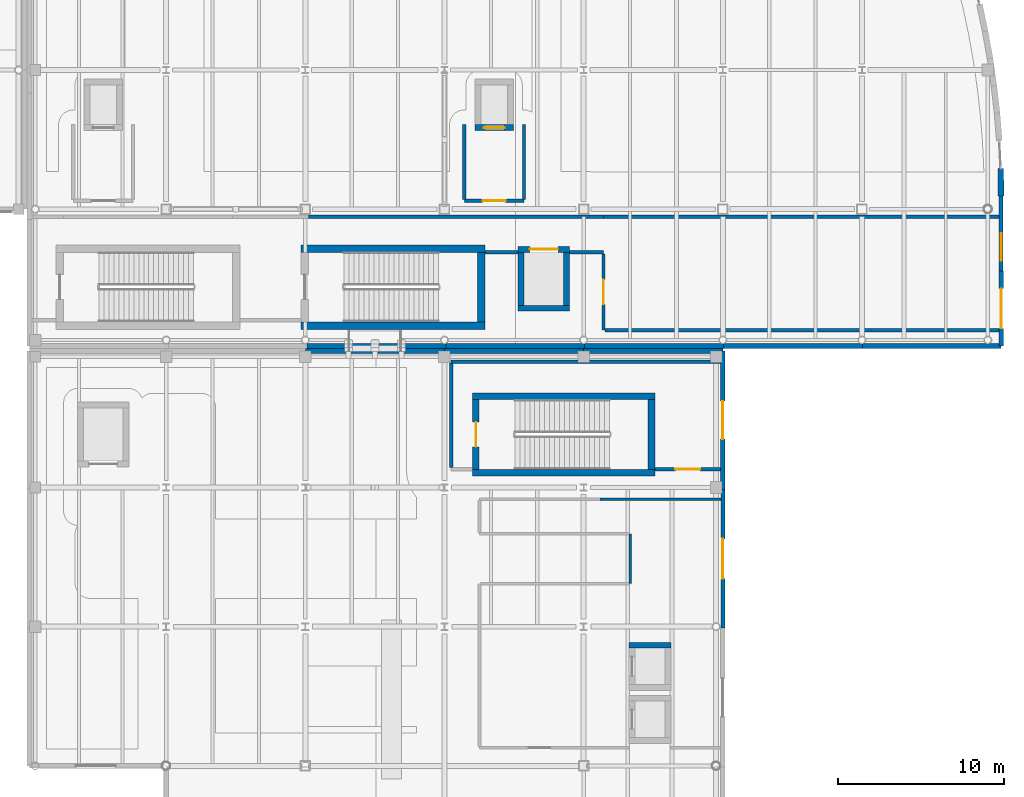
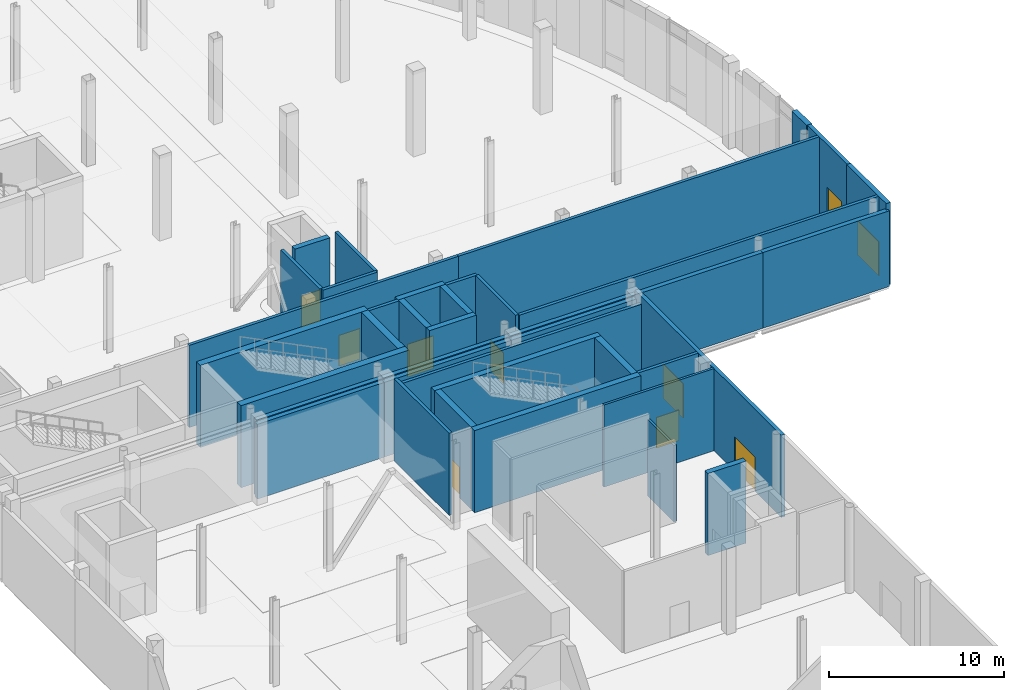
# One storey, part 53 of 85: 40 walls, 9 doors, 1 window, 10 openings.
"""IFC4 building model written with IfcOpenShell, lengths in metres."""

import ifcopenshell
import ifcopenshell.guid

model = None  # the IFC model being written
_history = None  # IfcOwnerHistory: only IFC2X3 demands one
_inside = {}  # id of a spatial element -> (the spatial element, [elements in it])
_under = {}  # id of a project, library or spatial element -> (it, [spatial elements below it])
_declared = {}  # id of a project -> (the project, [libraries it declares])
_typed = {}  # id of a type object -> (the type object, [elements of that type])
_made_of = {}  # id of a material, layer set ... -> (it, [elements and type objects made of it])


def new_model(schema):
    """Start an empty IFC model of exactly this schema.

    Asked for "IFC4X3", IfcOpenShell would pick the latest addendum, in which some entities
    have other attributes; the version numbers below select the first issue.
    IFC2X3 requires an IfcOwnerHistory on every rooted entity: one is made here for all.
    """
    global model, _history
    if schema == "IFC4X3":
        model = ifcopenshell.file(schema_version=(4, 3, 0, 0))
    else:
        model = ifcopenshell.file(schema=schema)
    _inside.clear()
    _under.clear()
    _declared.clear()
    _typed.clear()
    _made_of.clear()
    _history = None
    if model.schema == "IFC2X3":
        org = make("IfcOrganization", Name="unknown")
        user = make(
            "IfcPersonAndOrganization",
            ThePerson=make("IfcPerson", FamilyName="unknown"),
            TheOrganization=org,
        )
        app = make(
            "IfcApplication",
            ApplicationDeveloper=org,
            Version="unknown",
            ApplicationFullName="unknown",
            ApplicationIdentifier="unknown",
        )
        _history = make(
            "IfcOwnerHistory",
            OwningUser=user,
            OwningApplication=app,
            ChangeAction="ADDED",
            CreationDate=0,
        )
    return model


def make(cls, **values):
    """One entity of the class cls with the attributes given. An attribute that is None is left unset."""
    return model.create_entity(
        cls, **{name: value for name, value in values.items() if value is not None}
    )


def rooted(cls, **values):
    """An entity with a GlobalId (a new one), such as an element, a storey or a relation."""
    return make(cls, GlobalId=ifcopenshell.guid.new(), OwnerHistory=_history, **values)


def si_unit(unit_type, name, prefix=None):
    """IfcSIUnit, for example si_unit("LENGTHUNIT", "METRE", prefix="MILLI")."""
    return make("IfcSIUnit", UnitType=unit_type, Prefix=prefix, Name=name)


def assignment(units):
    """IfcUnitAssignment: the units of a project."""
    return None if units is None else make("IfcUnitAssignment", Units=units)


def point(xyz):
    """IfcCartesianPoint."""
    return None if xyz is None else make("IfcCartesianPoint", Coordinates=xyz)


def direction(xyz):
    """IfcDirection."""
    return None if xyz is None else make("IfcDirection", DirectionRatios=xyz)


def frame(location, z_axis=None, x_axis=None):
    """IfcAxis2Placement3D, a coordinate frame: its origin and axes. An axis left out is left unset."""
    return make(
        "IfcAxis2Placement3D",
        Location=point(location),
        Axis=direction(z_axis),
        RefDirection=direction(x_axis),
    )


def frame_2d(location, x_axis=None):
    """IfcAxis2Placement2D, a coordinate frame in the plane: its origin and x axis."""
    return make(
        "IfcAxis2Placement2D", Location=point(location), RefDirection=direction(x_axis)
    )


def origin():
    """The frame at (0, 0, 0) with its axes left unset."""
    return frame((0.0, 0.0, 0.0))


def place(relative_to, where):
    """IfcLocalPlacement: puts the frame where relative to a parent placement (None: the world)."""
    return make(
        "IfcLocalPlacement", PlacementRelTo=relative_to, RelativePlacement=where
    )


def context(
    kind, dimensions, precision=None, world=None, true_north=None, identifier=None
):
    """IfcGeometricRepresentationContext, for example the 3D "Model" context."""
    return make(
        "IfcGeometricRepresentationContext",
        ContextIdentifier=identifier,
        ContextType=kind,
        CoordinateSpaceDimension=dimensions,
        Precision=precision,
        WorldCoordinateSystem=world,
        TrueNorth=true_north,
    )


def subcontext(parent, identifier, kind, view, scale=None):
    """IfcGeometricRepresentationSubContext, for example "Body" below "Model"."""
    return make(
        "IfcGeometricRepresentationSubContext",
        ContextIdentifier=identifier,
        ContextType=kind,
        ParentContext=parent,
        TargetScale=scale,
        TargetView=view,
    )


def project(units=None, contexts=None):
    """IfcProject with its units and contexts."""
    return rooted(
        "IfcProject",
        Name="project",
        RepresentationContexts=contexts,
        UnitsInContext=assignment(units),
    )


def spatial(cls, under=None, at=None, **own):
    """A site, building, storey or space (cls), placed at a placement, below another one or the project."""
    s = rooted(cls, ObjectPlacement=at, **own)
    if under is not None:
        _under.setdefault(under.id(), (under, []))[1].append(s)
    return s


def profile(cls, at=None, kind="AREA", **sizes):
    """A parametric profile (cls). Its sizes go by their IFC names, for example OverallWidth=200.0."""
    return make(cls, ProfileType=kind, Position=at, **sizes)


def rectangle(**sizes):
    """IfcRectangleProfileDef."""
    return profile("IfcRectangleProfileDef", **sizes)


def extrude(swept, where, along, depth):
    """IfcExtrudedAreaSolid: the profile swept, set in the frame where, extruded along a direction by depth."""
    return make(
        "IfcExtrudedAreaSolid",
        SweptArea=swept,
        Position=where,
        ExtrudedDirection=direction(along),
        Depth=depth,
    )


def shape(context_of_items, identifier, shape_type, items):
    """IfcShapeRepresentation: the items that make up one representation, for example the "Body"."""
    return make(
        "IfcShapeRepresentation",
        ContextOfItems=context_of_items,
        RepresentationIdentifier=identifier,
        RepresentationType=shape_type,
        Items=items,
    )


def material(Name=None, Category=None):
    """IfcMaterial."""
    return make("IfcMaterial", Name=Name, Category=Category)


def layer(
    of_material, thickness, ventilated=None, Name=None, Category=None, Priority=None
):
    """IfcMaterialLayer: one layer of a wall or slab, of a material (None: an air gap)."""
    return make(
        "IfcMaterialLayer",
        Material=of_material,
        LayerThickness=thickness,
        IsVentilated=ventilated,
        Name=Name,
        Category=Category,
        Priority=Priority,
    )


def layer_set(layers, Name=None):
    """IfcMaterialLayerSet."""
    return make("IfcMaterialLayerSet", MaterialLayers=layers, LayerSetName=Name)


def made_of(thing, what):
    """Note that an element or type object is made of a material, layer set ...; save() writes the relation."""
    if what is not None:
        _made_of.setdefault(what.id(), (what, []))[1].append(thing)
    return thing


def type_object(cls, material=None, **own):
    """A type object (cls), such as IfcWallType, which elements share."""
    return made_of(rooted(cls, **own), material)


def element(
    cls,
    number,
    at=None,
    inside=None,
    cuts=None,
    type_object=None,
    material=None,
    context=None,
    identifier="Body",
    shape_type=None,
    held_by="IfcProductDefinitionShape",
    body=None,
    shapes=None,
    **own,
):
    """One element of the class cls, such as IfcWall. Its Tag is "e" and its number.

    at: its placement. inside: the storey or other place that contains it. cuts: it is an
    opening in that element (IfcRelVoidsElement). A single representation is given by context,
    identifier, shape_type and body (its items); several are given by shapes. held_by: the class
    of the entity that holds the representations. save() writes the other relations.
    """
    e = rooted(cls, Tag="e%d" % number, ObjectPlacement=at, **own)
    if body is not None:
        shapes = [shape(context, identifier, shape_type, body)]
    if shapes is not None:
        e.Representation = make(held_by, Representations=shapes)
    if inside is not None:
        _inside.setdefault(inside.id(), (inside, []))[1].append(e)
    if cuts is not None:
        rooted(
            "IfcRelVoidsElement", RelatingBuildingElement=cuts, RelatedOpeningElement=e
        )
    if type_object is not None:
        _typed.setdefault(type_object.id(), (type_object, []))[1].append(e)
    return made_of(e, material)


def fill(opening, filler):
    """IfcRelFillsElement: the door or window that sits in an opening."""
    return rooted(
        "IfcRelFillsElement",
        RelatingOpeningElement=opening,
        RelatedBuildingElement=filler,
    )


def aggregate(whole, parts):
    """IfcRelAggregates: a whole, such as a stair, and the parts it consists of."""
    return rooted("IfcRelAggregates", RelatingObject=whole, RelatedObjects=parts)


def save(model, path):
    """Write the relations noted so far, then the file.

    IfcRelAggregates (storeys below a building ...), IfcRelContainedInSpatialStructure (elements
    in a storey), IfcRelDefinesByType, IfcRelAssociatesMaterial and IfcRelDeclares: one each for
    every whole, place, type object, material and project.
    """
    for whole, parts in _under.values():
        aggregate(whole, parts)
    for where, things in _inside.values():
        rooted(
            "IfcRelContainedInSpatialStructure",
            RelatedElements=things,
            RelatingStructure=where,
        )
    for kind, things in _typed.values():
        rooted("IfcRelDefinesByType", RelatedObjects=things, RelatingType=kind)
    for what, things in _made_of.values():
        rooted("IfcRelAssociatesMaterial", RelatedObjects=things, RelatingMaterial=what)
    for by, libraries in _declared.values():
        rooted("IfcRelDeclares", RelatingContext=by, RelatedDefinitions=libraries)
    model.write(path)


model = new_model("IFC4")

# Units and contexts
model_context = context("Model", 3, precision=1e-05, world=origin(), true_north=direction((0.0, 1.0)))
body_context = subcontext(model_context, "Body", "Model", "MODEL_VIEW")
ifc_project = project(units=[si_unit("LENGTHUNIT", "METRE"), si_unit("AREAUNIT", "SQUARE_METRE"), si_unit("VOLUMEUNIT", "CUBIC_METRE"), si_unit("PLANEANGLEUNIT", "RADIAN"), si_unit("MASSUNIT", "GRAM", prefix="KILO"), si_unit("THERMODYNAMICTEMPERATUREUNIT", "KELVIN")], contexts=[model_context])

# Site, building, storey
site_placement = place(None, origin())
site = spatial("IfcSite", under=ifc_project, at=site_placement, CompositionType="ELEMENT")
building_placement = place(site_placement, origin())
building = spatial("IfcBuilding", under=site, at=building_placement, Name="Lustrewick Department Store", CompositionType="ELEMENT")
storey_placement = place(building_placement, origin())
storey = spatial("IfcBuildingStorey", under=building, at=storey_placement, Name="L01", CompositionType="ELEMENT", Elevation=0.0)

# Wall, opening, door
ifc_material_1 = material(Name="Precast concrete C40", Category="concrete")
ifc_layer_1 = layer(ifc_material_1, 0.239990234375, Name="Precast concrete C40")
ifc_layer_set_1 = layer_set([ifc_layer_1], Name="Precast concrete C40")
wall_type_1 = type_object("IfcWallType", Name="EW01", PredefinedType="STANDARD", material=ifc_layer_set_1)
wall_1_placement = place(storey_placement, frame((151.199951171875, 33.510009765625, 0.0), z_axis=(0.0, 0.0, 1.0), x_axis=(0.0, 1.0, 0.0)))
wall_1 = element("IfcWall", 1, at=wall_1_placement, inside=storey, type_object=wall_type_1, Name="L01 V3 Exterior Wall EW01", PredefinedType="STANDARD", context=body_context, shape_type="SweptSolid", body=[
    extrude(rectangle(XDim=8.369873046875, YDim=0.239990234375, at=frame_2d((4.18505859375, 0.0))), origin(), (0.0, 0.0, 1.0), 5.7451171875),
])
opening_1_placement = place(wall_1_placement, frame((2.985107421875, 0.0, 0.0)))
opening_1 = element("IfcOpeningElement", 2, at=opening_1_placement, cuts=wall_1, Name="Opening D-EX20", PredefinedType="OPENING", context=body_context, shape_type="SweptSolid", body=[
    extrude(rectangle(XDim=2.39990234375, YDim=2.39990234375, at=frame_2d((1.199951171875, 1.199951171875))), frame((0.0, 0.1298828125, 0.0), z_axis=(0.0, -1.0, 0.0), x_axis=(1.0, 0.0, 0.0)), (0.0, 0.0, 1.0), 0.260009765625),
])
ifc_material_2 = material(Name="Thermally broken glazed aluminium entrance door", Category="aluminium")
door_type_1 = type_object("IfcDoorType", Name="DT-02", OperationType="NOTDEFINED", PredefinedType="DOOR", material=ifc_material_2)
door_1_placement = place(opening_1_placement, frame((2.39990234375, 0.0, 0.0), z_axis=(0.0, 0.0, 1.0), x_axis=(-1.0, 0.0, 0.0)))
door_1 = element("IfcDoor", 3, at=door_1_placement, inside=storey, type_object=door_type_1, Name="L01 Pedestrian Final Exit Door D-EX20", OperationType="DOUBLE_DOOR_SINGLE_SWING", OverallHeight=2.39990234375, OverallWidth=2.39990234375, PredefinedType="DOOR", context=body_context, shape_type="SweptSolid", body=[
    extrude(rectangle(XDim=2.39990234375, YDim=2.39990234375, at=frame_2d((1.199951171875, 1.199951171875))), frame((0.0, 0.02490234375, 0.0), z_axis=(0.0, -1.0, 0.0), x_axis=(1.0, 0.0, 0.0)), (0.0, 0.0, 1.0), 0.050048828125),
])
fill(opening_1, door_1)

# Wall, opening, window
wall_2_placement = place(storey_placement, frame((168.0, 55.074951171875, 0.0), z_axis=(0.0, 0.0, 1.0), x_axis=(0.0, 1.0, 0.0)))
wall_2 = element("IfcWall", 4, at=wall_2_placement, inside=storey, type_object=wall_type_1, Name="L01 V4 Exterior Wall EW01", PredefinedType="STANDARD", context=body_context, shape_type="SweptSolid", body=[
    extrude(rectangle(XDim=4.525146484375, YDim=0.239990234375, at=frame_2d((2.2626953125, 0.0))), origin(), (0.0, 0.0, 1.0), 5.7451171875),
])
opening_2_placement = place(wall_2_placement, frame((0.60791015625, 0.0, 0.949951171875)))
opening_2 = element("IfcOpeningElement", 5, at=opening_2_placement, cuts=wall_2, Name="Opening WN04", PredefinedType="OPENING", context=body_context, shape_type="SweptSolid", body=[
    extrude(rectangle(XDim=1.679931640625, YDim=1.800048828125, at=frame_2d((0.83984375, 0.89990234375))), frame((0.0, 0.1298828125, 0.0), z_axis=(0.0, -1.0, 0.0), x_axis=(1.0, 0.0, 0.0)), (0.0, 0.0, 1.0), 0.260009765625),
])
ifc_material_3 = material(Name="Thermally broken Low-E triple-glazed window", Category="glass")
window_type = type_object("IfcWindowType", Name="WN04", PartitioningType="DOUBLE_PANEL_VERTICAL", PredefinedType="WINDOW", material=ifc_material_3)
window_placement = place(opening_2_placement, origin())
window = element("IfcWindow", 6, at=window_placement, inside=storey, type_object=window_type, Name="L01 Art Nouveau Window WN04", OverallHeight=1.800048828125, OverallWidth=1.679931640625, PartitioningType="SINGLE_PANEL", PredefinedType="WINDOW", context=body_context, shape_type="SweptSolid", body=[
    extrude(rectangle(XDim=1.679931640625, YDim=1.800048828125, at=frame_2d((0.83984375, 0.89990234375))), frame((0.0, 0.030029296875, 0.0), z_axis=(0.0, -1.0, 0.0), x_axis=(1.0, 0.0, 0.0)), (0.0, 0.0, 1.0), 0.06005859375),
])
fill(opening_2, window)

# Wall, opening, door
ifc_layer_2 = layer(ifc_material_1, 0.260009765625, Name="Precast concrete C40")
ifc_layer_set_2 = layer_set([ifc_layer_2], Name="Precast concrete C40")
wall_type_2 = type_object("IfcWallType", Name="EW02", PredefinedType="STANDARD", material=ifc_layer_set_2)
wall_3_placement = place(storey_placement, frame((151.199951171875, 41.8798828125, 0.0), z_axis=(0.0, 0.0, 1.0), x_axis=(0.0, 1.0, 0.0)))
wall_3 = element("IfcWall", 7, at=wall_3_placement, inside=storey, type_object=wall_type_2, Name="L01 V3 Exterior Wall EW02", PredefinedType="STANDARD", context=body_context, shape_type="SweptSolid", body=[
    extrude(rectangle(XDim=8.3701171875, YDim=0.260009765625, at=frame_2d((4.18505859375, 0.0))), origin(), (0.0, 0.0, 1.0), 5.7451171875),
])
opening_3_placement = place(wall_3_placement, frame((3.034912109375, 0.0, 0.0)))
opening_3 = element("IfcOpeningElement", 8, at=opening_3_placement, cuts=wall_3, Name="Opening D-EX23", PredefinedType="OPENING", context=body_context, shape_type="SweptSolid", body=[
    extrude(rectangle(XDim=2.300048828125, YDim=2.39990234375, at=frame_2d((1.14990234375, 1.199951171875))), frame((0.0, 0.14013671875, 0.0), z_axis=(0.0, -1.0, 0.0), x_axis=(1.0, 0.0, 0.0)), (0.0, 0.0, 1.0), 0.280029296875),
])
door_type_2 = type_object("IfcDoorType", Name="DT-01", OperationType="NOTDEFINED", PredefinedType="DOOR", material=ifc_material_2)
door_2_placement = place(opening_3_placement, frame((2.300048828125, 0.0, 0.0), z_axis=(0.0, 0.0, 1.0), x_axis=(-1.0, 0.0, 0.0)))
door_2 = element("IfcDoor", 9, at=door_2_placement, inside=storey, type_object=door_type_2, Name="L01 Pedestrian Final Exit Door D-EX23", OperationType="DOUBLE_DOOR_SINGLE_SWING", OverallHeight=2.39990234375, OverallWidth=2.300048828125, PredefinedType="DOOR", context=body_context, shape_type="SweptSolid", body=[
    extrude(rectangle(XDim=2.300048828125, YDim=2.39990234375, at=frame_2d((1.14990234375, 1.199951171875))), frame((0.0, 0.02490234375, 0.0), z_axis=(0.0, -1.0, 0.0), x_axis=(1.0, 0.0, 0.0)), (0.0, 0.0, 1.0), 0.050048828125),
])
fill(opening_3, door_2)

ifc_layer_3 = layer(ifc_material_1, 0.280029296875, Name="Precast concrete C40")
ifc_layer_set_3 = layer_set([ifc_layer_3], Name="Precast concrete C40")
wall_type_3 = type_object("IfcWallType", Name="EW03", PredefinedType="STANDARD", material=ifc_layer_set_3)
wall_4_placement = place(storey_placement, frame((168.0, 50.550048828125, 0.0), z_axis=(0.0, 0.0, 1.0), x_axis=(0.0, 1.0, 0.0)))
wall_4 = element("IfcWall", 10, at=wall_4_placement, inside=storey, type_object=wall_type_3, Name="L01 V4 Exterior Wall EW03", PredefinedType="STANDARD", context=body_context, shape_type="SweptSolid", body=[
    extrude(rectangle(XDim=4.52490234375, YDim=0.280029296875, at=frame_2d((2.262451171875, 0.0))), origin(), (0.0, 0.0, 1.0), 5.7451171875),
])
opening_4_placement = place(wall_4_placement, frame((1.0625, 0.0, 0.0)))
opening_4 = element("IfcOpeningElement", 11, at=opening_4_placement, cuts=wall_4, Name="Opening D-EX04", PredefinedType="OPENING", context=body_context, shape_type="SweptSolid", body=[
    extrude(rectangle(XDim=2.39990234375, YDim=2.39990234375, at=frame_2d((1.199951171875, 1.199951171875))), frame((0.0, 0.14990234375, 0.0), z_axis=(0.0, -1.0, 0.0), x_axis=(1.0, 0.0, 0.0)), (0.0, 0.0, 1.0), 0.300048828125),
])
door_3_placement = place(opening_4_placement, frame((2.39990234375, 0.0, 0.0), z_axis=(0.0, 0.0, 1.0), x_axis=(-1.0, 0.0, 0.0)))
door_3 = element("IfcDoor", 12, at=door_3_placement, inside=storey, type_object=door_type_1, Name="L01 Pedestrian Final Exit Door D-EX04", OperationType="DOUBLE_DOOR_SINGLE_SWING", OverallHeight=2.39990234375, OverallWidth=2.39990234375, PredefinedType="DOOR", context=body_context, shape_type="SweptSolid", body=[
    extrude(rectangle(XDim=2.39990234375, YDim=2.39990234375, at=frame_2d((1.199951171875, 1.199951171875))), frame((0.0, 0.02490234375, 0.0), z_axis=(0.0, -1.0, 0.0), x_axis=(1.0, 0.0, 0.0)), (0.0, 0.0, 1.0), 0.050048828125),
])
fill(opening_4, door_3)

# Walls
ifc_layer_4 = layer(ifc_material_1, 0.300048828125, Name="Precast concrete C40")
ifc_layer_set_4 = layer_set([ifc_layer_4], Name="Precast concrete C40")
wall_type_4 = type_object("IfcWallType", Name="EW04", PredefinedType="STANDARD", material=ifc_layer_set_4)
wall_5_placement = place(storey_placement, frame((151.199951171875, 50.25, 0.0), z_axis=(0.0, 0.0, 1.0), x_axis=(-1.0, 0.0, 0.0)))
element("IfcWall", 13, at=wall_5_placement, inside=storey, type_object=wall_type_4, Name="L01 V3 Exterior Wall EW04", PredefinedType="STANDARD", context=body_context, shape_type="SweptSolid", body=[
    extrude(rectangle(XDim=8.39990234375, YDim=0.300048828125, at=frame_2d((4.199951171875, 0.0))), origin(), (0.0, 0.0, 1.0), 5.23095703125),
])
wall_6_placement = place(storey_placement, frame((142.800048828125, 50.25, 0.0), z_axis=(0.0, 0.0, 1.0), x_axis=(-1.0, 0.0, 0.0)))
element("IfcWall", 14, at=wall_6_placement, inside=storey, type_object=wall_type_4, Name="L01 V3 Exterior Wall EW04", PredefinedType="STANDARD", context=body_context, shape_type="SweptSolid", body=[
    extrude(rectangle(XDim=8.400146484375, YDim=0.300048828125, at=frame_2d((4.2001953125, 0.0))), origin(), (0.0, 0.0, 1.0), 5.23095703125),
])
wall_7_placement = place(storey_placement, frame((134.39990234375, 50.25, 0.0), z_axis=(0.0, 0.0, 1.0), x_axis=(-1.0, 0.0, 0.0)))
element("IfcWall", 15, at=wall_7_placement, inside=storey, type_object=wall_type_4, Name="L01 V3 Exterior Wall EW04", PredefinedType="STANDARD", context=body_context, shape_type="SweptSolid", body=[
    extrude(rectangle(XDim=8.39990234375, YDim=0.300048828125, at=frame_2d((4.199951171875, 0.0))), origin(), (0.0, 0.0, 1.0), 5.23095703125),
])
wall_8_placement = place(storey_placement, frame((126.107177734375, 50.550048828125, 0.0), z_axis=(0.0, 0.0, 1.0), x_axis=(1.0, 0.0, 0.0)))
element("IfcWall", 16, at=wall_8_placement, inside=storey, type_object=wall_type_4, Name="L01 V4 Exterior Wall EW04", PredefinedType="STANDARD", context=body_context, shape_type="SweptSolid", body=[
    extrude(rectangle(XDim=8.37841796875, YDim=0.300048828125, at=frame_2d((4.189208984375, 0.0))), origin(), (0.0, 0.0, 1.0), 5.297119140625),
])
for number, where, z_axis, x_axis, name in (
    (17, (134.485595703125, 50.550048828125, 0.0), (0.0, 0.0, 1.0), (1.0, 0.0, 0.0), "L01 V4 Exterior Wall EW04"),
    (18, (142.8642578125, 50.550048828125, 0.0), (0.0, 0.0, 1.0), (1.0, 0.0, 0.0), "L01 V4 Exterior Wall EW04"),
):
    element("IfcWall", number, at=place(storey_placement, frame(where, z_axis=z_axis, x_axis=x_axis)), inside=storey, type_object=wall_type_4, Name=name, PredefinedType="STANDARD", context=body_context, shape_type="SweptSolid", body=[
        extrude(rectangle(XDim=8.378662109375, YDim=0.300048828125, at=frame_2d((4.189453125, 0.0))), origin(), (0.0, 0.0, 1.0), 5.297119140625),
    ])
wall_9_placement = place(storey_placement, frame((151.242919921875, 50.550048828125, 0.0), z_axis=(0.0, 0.0, 1.0), x_axis=(1.0, 0.0, 0.0)))
element("IfcWall", 19, at=wall_9_placement, inside=storey, type_object=wall_type_4, Name="L01 V4 Exterior Wall EW04", PredefinedType="STANDARD", context=body_context, shape_type="SweptSolid", body=[
    extrude(rectangle(XDim=8.37841796875, YDim=0.300048828125, at=frame_2d((4.189208984375, 0.0))), origin(), (0.0, 0.0, 1.0), 5.297119140625),
])
wall_10_placement = place(storey_placement, frame((159.621337890625, 50.550048828125, 0.0), z_axis=(0.0, 0.0, 1.0), x_axis=(1.0, 0.0, 0.0)))
element("IfcWall", 20, at=wall_10_placement, inside=storey, type_object=wall_type_4, Name="L01 V4 Exterior Wall EW04", PredefinedType="STANDARD", context=body_context, shape_type="SweptSolid", body=[
    extrude(rectangle(XDim=8.378662109375, YDim=0.300048828125, at=frame_2d((4.189453125, 0.0))), origin(), (0.0, 0.0, 1.0), 5.297119140625),
])
ifc_layer_5 = layer(ifc_material_1, 0.35009765625, Name="Precast concrete C40")
ifc_layer_set_5 = layer_set([ifc_layer_5], Name="Precast concrete C40")
wall_type_5 = type_object("IfcWallType", Name="EW06", PredefinedType="STANDARD", material=ifc_layer_set_5)
wall_11_placement = place(storey_placement, frame((168.0, 59.60009765625, 0.0), z_axis=(0.0, 0.0, 1.0), x_axis=(-0.015966320801, 0.999872530176, 0.0)))
element("IfcWall", 21, at=wall_11_placement, inside=storey, type_object=wall_type_5, Name="L01 V4 Exterior Wall EW06", PredefinedType="STANDARD", context=body_context, shape_type="SweptSolid", body=[
    extrude(rectangle(XDim=1.666748046875, YDim=0.35009765625, at=frame_2d((0.83349609375, 0.0))), origin(), (0.0, 0.0, 1.0), 5.7451171875),
])

# Wall, opening, door
ifc_material_4 = material(Name="Autoclaved aerated concrete blockwork and fire board", Category="masonry")
ifc_layer_6 = layer(ifc_material_4, 0.205078125, Name="Autoclaved aerated concrete blockwork and fire board")
ifc_layer_set_6 = layer_set([ifc_layer_6], Name="Autoclaved aerated concrete blockwork and fire board")
wall_type_6 = type_object("IfcWallType", Name="PW02", PredefinedType="PARTITIONING", material=ifc_layer_set_6)
wall_12_placement = place(storey_placement, frame((147.10009765625, 43.10009765625, 0.0), z_axis=(0.0, 0.0, 1.0), x_axis=(1.0, 0.0, 0.0)))
wall_12 = element("IfcWall", 22, at=wall_12_placement, inside=storey, type_object=wall_type_6, Name="L01 Protected Exit Passageway ST08 PW02", PredefinedType="PARTITIONING", context=body_context, shape_type="SweptSolid", body=[
    extrude(rectangle(XDim=3.974853515625, YDim=0.205078125, at=frame_2d((1.9873046875, 0.0))), origin(), (0.0, 0.0, 1.0), 5.7451171875),
])
opening_5_placement = place(wall_12_placement, frame((1.237548828125, 0.0, 0.0)))
opening_5 = element("IfcOpeningElement", 23, at=opening_5_placement, cuts=wall_12, Name="Opening D-L01-053", PredefinedType="OPENING", context=body_context, shape_type="SweptSolid", body=[
    extrude(rectangle(XDim=1.5, YDim=2.14990234375, at=frame_2d((0.75, 1.074951171875))), frame((0.0, 0.112548828125, 0.0), z_axis=(0.0, -1.0, 0.0), x_axis=(1.0, 0.0, 0.0)), (0.0, 0.0, 1.0), 0.22509765625),
])
ifc_material_5 = material(Name="Steel fire door Class B EI 60", Category="steel")
door_type_3 = type_object("IfcDoorType", Name="DT-07", OperationType="NOTDEFINED", PredefinedType="DOOR", material=ifc_material_5)
door_4_placement = place(opening_5_placement, origin())
door_4 = element("IfcDoor", 24, at=door_4_placement, inside=storey, type_object=door_type_3, Name="L01 Protected Exit Passageway ST08 Door D-L01-053", OperationType="SINGLE_SWING_RIGHT", OverallHeight=2.14990234375, OverallWidth=1.5, PredefinedType="DOOR", context=body_context, shape_type="SweptSolid", body=[
    extrude(rectangle(XDim=1.5, YDim=2.14990234375, at=frame_2d((0.75, 1.074951171875))), frame((0.0, 0.02490234375, 0.0), z_axis=(0.0, -1.0, 0.0), x_axis=(1.0, 0.0, 0.0)), (0.0, 0.0, 1.0), 0.050048828125),
])
fill(opening_5, door_4)

# Walls
wall_13_placement = place(storey_placement, frame((151.074951171875, 49.60009765625, 0.0), z_axis=(0.0, 0.0, 1.0), x_axis=(-1.0, 0.0, 0.0)))
element("IfcWall", 25, at=wall_13_placement, inside=storey, type_object=wall_type_6, Name="L01 Protected Exit Passageway ST08 PW02", PredefinedType="PARTITIONING", context=body_context, shape_type="SweptSolid", body=[
    extrude(rectangle(XDim=16.27490234375, YDim=0.205078125, at=frame_2d((8.137451171875, 0.0))), origin(), (0.0, 0.0, 1.0), 5.23095703125),
])
wall_14_placement = place(storey_placement, frame((134.800048828125, 49.50244140625, 0.0), z_axis=(0.0, 0.0, 1.0), x_axis=(0.0, -1.0, 0.0)))
element("IfcWall", 26, at=wall_14_placement, inside=storey, type_object=wall_type_6, Name="L01 Protected Exit Passageway ST08 PW02", PredefinedType="PARTITIONING", context=body_context, shape_type="SweptSolid", body=[
    extrude(rectangle(XDim=6.304931640625, YDim=0.205078125, at=frame_2d((3.15234375, 0.0))), origin(), (0.0, 0.0, 1.0), 5.7451171875),
])

# Wall, opening, door
wall_15_placement = place(storey_placement, frame((135.60009765625, 59.300048828125, 0.0), z_axis=(0.0, 0.0, 1.0), x_axis=(1.0, 0.0, 0.0)))
wall_15 = element("IfcWall", 27, at=wall_15_placement, inside=storey, type_object=wall_type_6, Name="L01 Firefighting Lift Lobby FFL-03 PW02", PredefinedType="PARTITIONING", context=body_context, shape_type="SweptSolid", body=[
    extrude(rectangle(XDim=3.599853515625, YDim=0.205078125, at=frame_2d((1.7998046875, 0.0))), origin(), (0.0, 0.0, 1.0), 5.7451171875),
])
opening_6_placement = place(wall_15_placement, frame((1.10009765625, 0.0, 0.0)))
opening_6 = element("IfcOpeningElement", 28, at=opening_6_placement, cuts=wall_15, Name="Opening D-L01-060", PredefinedType="OPENING", context=body_context, shape_type="SweptSolid", body=[
    extrude(rectangle(XDim=1.39990234375, YDim=2.14990234375, at=frame_2d((0.699951171875, 1.074951171875))), frame((0.0, 0.112548828125, 0.0), z_axis=(0.0, -1.0, 0.0), x_axis=(1.0, 0.0, 0.0)), (0.0, 0.0, 1.0), 0.22509765625),
])
door_type_4 = type_object("IfcDoorType", Name="DT-08", OperationType="NOTDEFINED", PredefinedType="DOOR", material=ifc_material_5)
door_5_placement = place(opening_6_placement, origin())
door_5 = element("IfcDoor", 29, at=door_5_placement, inside=storey, type_object=door_type_4, Name="L01 Firefighting Lift Lobby FFL-03 Door D-L01-060", OperationType="SINGLE_SWING_LEFT", OverallHeight=2.14990234375, OverallWidth=1.39990234375, PredefinedType="DOOR", context=body_context, shape_type="SweptSolid", body=[
    extrude(rectangle(XDim=1.39990234375, YDim=2.14990234375, at=frame_2d((0.699951171875, 1.074951171875))), frame((0.0, 0.02490234375, 0.0), z_axis=(0.0, -1.0, 0.0), x_axis=(1.0, 0.0, 0.0)), (0.0, 0.0, 1.0), 0.050048828125),
])
fill(opening_6, door_5)

# Walls
for number, where, z_axis, x_axis, name in (
    (30, (139.199951171875, 59.3974609375, 0.0), (0.0, 0.0, 1.0), (0.0, 1.0, 0.0), "L01 Firefighting Lift Lobby FFL-03 PW02"),
    (31, (135.60009765625, 63.89990234375, 0.0), (0.0, 0.0, 1.0), (0.0, -1.0, 0.0), "L01 Firefighting Lift Lobby FFL-03 PW02"),
):
    element("IfcWall", number, at=place(storey_placement, frame(where, z_axis=z_axis, x_axis=x_axis)), inside=storey, type_object=wall_type_6, Name=name, PredefinedType="PARTITIONING", context=body_context, shape_type="SweptSolid", body=[
        extrude(rectangle(XDim=4.50244140625, YDim=0.205078125, at=frame_2d((2.251220703125, 0.0))), origin(), (0.0, 0.0, 1.0), 5.7451171875),
    ])
wall_16_placement = place(storey_placement, frame((136.85009765625, 56.199951171875, 0.0), z_axis=(0.0, 0.0, 1.0), x_axis=(1.0, 0.0, 0.0)))
element("IfcWall", 32, at=wall_16_placement, inside=storey, type_object=wall_type_6, Name="L01 Protected Exit Passageway ST09-ST11 PW02", PredefinedType="PARTITIONING", context=body_context, shape_type="SweptSolid", body=[
    extrude(rectangle(XDim=1.989990234375, YDim=0.205078125, at=frame_2d((0.9951171875, 0.0))), origin(), (0.0, 0.0, 1.0), 5.7451171875),
])
wall_17_placement = place(storey_placement, frame((141.9599609375, 56.199951171875, 0.0), z_axis=(0.0, 0.0, 1.0), x_axis=(1.0, 0.0, 0.0)))
element("IfcWall", 33, at=wall_17_placement, inside=storey, type_object=wall_type_6, Name="L01 Protected Exit Passageway ST09-ST11 PW02", PredefinedType="PARTITIONING", context=body_context, shape_type="SweptSolid", body=[
    extrude(rectangle(XDim=2.0400390625, YDim=0.205078125, at=frame_2d((1.02001953125, 0.0))), origin(), (0.0, 0.0, 1.0), 5.7451171875),
])

# Wall, opening, door
wall_18_placement = place(storey_placement, frame((144.0, 56.1025390625, 0.0), z_axis=(0.0, 0.0, 1.0), x_axis=(0.0, -1.0, 0.0)))
wall_18 = element("IfcWall", 34, at=wall_18_placement, inside=storey, type_object=wall_type_6, Name="L01 Protected Exit Passageway ST09-ST11 PW02", PredefinedType="PARTITIONING", context=body_context, shape_type="SweptSolid", body=[
    extrude(rectangle(XDim=4.6025390625, YDim=0.205078125, at=frame_2d((2.30126953125, 0.0))), origin(), (0.0, 0.0, 1.0), 5.7451171875),
])
opening_7_placement = place(wall_18_placement, frame((1.55126953125, 0.0, 0.0)))
opening_7 = element("IfcOpeningElement", 35, at=opening_7_placement, cuts=wall_18, Name="Opening D-L01-062", PredefinedType="OPENING", context=body_context, shape_type="SweptSolid", body=[
    extrude(rectangle(XDim=1.5, YDim=2.14990234375, at=frame_2d((0.75, 1.074951171875))), frame((0.0, 0.112548828125, 0.0), z_axis=(0.0, -1.0, 0.0), x_axis=(1.0, 0.0, 0.0)), (0.0, 0.0, 1.0), 0.22509765625),
])
door_6_placement = place(opening_7_placement, origin())
door_6 = element("IfcDoor", 36, at=door_6_placement, inside=storey, type_object=door_type_3, Name="L01 Protected Exit Passageway ST09-ST11 Door D-L01-062", OperationType="SINGLE_SWING_LEFT", OverallHeight=2.14990234375, OverallWidth=1.5, PredefinedType="DOOR", context=body_context, shape_type="SweptSolid", body=[
    extrude(rectangle(XDim=1.5, YDim=2.14990234375, at=frame_2d((0.75, 1.074951171875))), frame((0.0, 0.02490234375, 0.0), z_axis=(0.0, -1.0, 0.0), x_axis=(1.0, 0.0, 0.0)), (0.0, 0.0, 1.0), 0.050048828125),
])
fill(opening_7, door_6)

# Walls
wall_19_placement = place(storey_placement, frame((144.097412109375, 51.5, 0.0), z_axis=(0.0, 0.0, 1.0), x_axis=(1.0, 0.0, 0.0)))
element("IfcWall", 37, at=wall_19_placement, inside=storey, type_object=wall_type_6, Name="L01 Protected Exit Passageway ST09-ST11 PW02", PredefinedType="PARTITIONING", context=body_context, shape_type="SweptSolid", body=[
    extrude(rectangle(XDim=23.767578125, YDim=0.205078125, at=frame_2d((11.8837890625, 0.0))), origin(), (0.0, 0.0, 1.0), 5.7451171875),
])
wall_20_placement = place(storey_placement, frame((167.885009765625, 58.35009765625, 0.0), z_axis=(0.0, 0.0, 1.0), x_axis=(-1.0, 0.0, 0.0)))
element("IfcWall", 38, at=wall_20_placement, inside=storey, type_object=wall_type_6, Name="L01 Protected Exit Passageway ST09-ST11 PW02", PredefinedType="PARTITIONING", context=body_context, shape_type="SweptSolid", body=[
    extrude(rectangle(XDim=23.885009765625, YDim=0.205078125, at=frame_2d((11.9423828125, 0.0))), origin(), (0.0, 0.0, 1.0), 5.7451171875),
])
wall_21_placement = place(storey_placement, frame((144.0, 58.35009765625, 0.0), z_axis=(0.0, 0.0, 1.0), x_axis=(-1.0, 0.0, 0.0)))
element("IfcWall", 39, at=wall_21_placement, inside=storey, type_object=wall_type_6, Name="L01 Protected Exit Passageway ST09-ST11 PW02", PredefinedType="PARTITIONING", context=body_context, shape_type="SweptSolid", body=[
    extrude(rectangle(XDim=17.800048828125, YDim=0.205078125, at=frame_2d((8.89990234375, 0.0))), origin(), (0.0, 0.0, 1.0), 5.7451171875),
])
ifc_material_6 = material(Name="Double-stud gypsum fire board with mineral wool", Category="gypsum")
ifc_layer_7 = layer(ifc_material_6, 0.1650390625, Name="Double-stud gypsum fire board with mineral wool")
ifc_layer_set_7 = layer_set([ifc_layer_7], Name="Double-stud gypsum fire board with mineral wool")
wall_type_7 = type_object("IfcWallType", Name="PW04", PredefinedType="PARTITIONING", material=ifc_layer_set_7)
wall_22_placement = place(storey_placement, frame((151.0849609375, 41.2900390625, 0.0), z_axis=(0.0, 0.0, 1.0), x_axis=(-1.0, 0.0, 0.0)))
element("IfcWall", 40, at=wall_22_placement, inside=storey, type_object=wall_type_7, Name="L01 Merchandise Receiving Room PW04", PredefinedType="PARTITIONING", context=body_context, shape_type="SweptSolid", body=[
    extrude(rectangle(XDim=7.300048828125, YDim=0.1650390625, at=frame_2d((3.64990234375, 0.0))), origin(), (0.0, 0.0, 1.0), 5.7451171875),
])
wall_23_placement = place(storey_placement, frame((145.610107421875, 39.199951171875, 0.0), z_axis=(0.0, 0.0, 1.0), x_axis=(0.0, -1.0, 0.0)))
element("IfcWall", 41, at=wall_23_placement, inside=storey, type_object=wall_type_7, Name="L01 Merchandise Receiving Room PW04", PredefinedType="PARTITIONING", context=body_context, shape_type="SweptSolid", body=[
    extrude(rectangle(XDim=3.0, YDim=0.1650390625, at=frame_2d((1.5, 0.0))), origin(), (0.0, 0.0, 1.0), 5.3369140625),
])
ifc_material_7 = material(Name="Concrete C50", Category="concrete")
ifc_layer_8 = layer(ifc_material_7, 0.449951171875, Name="Concrete C50")
ifc_layer_set_8 = layer_set([ifc_layer_8], Name="Concrete C50")
wall_type_8 = type_object("IfcWallType", Name="SW01", PredefinedType="SHEAR", material=ifc_layer_set_8)
wall_24_placement = place(storey_placement, frame((125.75, 51.77490234375, 0.0), z_axis=(0.0, 0.0, 1.0), x_axis=(1.0, 0.0, 0.0)))
element("IfcWall", 42, at=wall_24_placement, inside=storey, type_object=wall_type_8, Name="L01 Stair Core ST11 Shear Wall S", PredefinedType="SHEAR", context=body_context, shape_type="SweptSolid", body=[
    extrude(rectangle(XDim=11.10009765625, YDim=0.449951171875, at=frame_2d((5.550048828125, 0.0))), origin(), (0.0, 0.0, 1.0), 5.7451171875),
])
wall_25_placement = place(storey_placement, frame((136.625, 52.0, 0.0), z_axis=(0.0, 0.0, 1.0), x_axis=(0.0, 1.0, 0.0)))
element("IfcWall", 43, at=wall_25_placement, inside=storey, type_object=wall_type_8, Name="L01 Stair Core ST11 Shear Wall E", PredefinedType="SHEAR", context=body_context, shape_type="SweptSolid", body=[
    extrude(rectangle(XDim=4.199951171875, YDim=0.449951171875, at=frame_2d((2.10009765625, 0.0))), origin(), (0.0, 0.0, 1.0), 5.7451171875),
])
wall_26_placement = place(storey_placement, frame((136.85009765625, 56.425048828125, 0.0), z_axis=(0.0, 0.0, 1.0), x_axis=(-1.0, 0.0, 0.0)))
element("IfcWall", 44, at=wall_26_placement, inside=storey, type_object=wall_type_8, Name="L01 Stair Core ST11 Shear Wall N", PredefinedType="SHEAR", context=body_context, shape_type="SweptSolid", body=[
    extrude(rectangle(XDim=11.10009765625, YDim=0.449951171875, at=frame_2d((5.550048828125, 0.0))), origin(), (0.0, 0.0, 1.0), 5.7451171875),
])
ifc_layer_9 = layer(ifc_material_7, 0.39990234375, Name="Concrete C50")
ifc_layer_set_9 = layer_set([ifc_layer_9], Name="Concrete C50")
wall_type_9 = type_object("IfcWallType", Name="SW02", PredefinedType="SHEAR", material=ifc_layer_set_9)
wall_27_placement = place(storey_placement, frame((136.10009765625, 42.89990234375, 0.0), z_axis=(0.0, 0.0, 1.0), x_axis=(1.0, 0.0, 0.0)))
element("IfcWall", 45, at=wall_27_placement, inside=storey, type_object=wall_type_9, Name="L01 Stair Core ST08 Shear Wall S", PredefinedType="SHEAR", context=body_context, shape_type="SweptSolid", body=[
    extrude(rectangle(XDim=11.0, YDim=0.39990234375, at=frame_2d((5.5, 0.0))), origin(), (0.0, 0.0, 1.0), 5.7451171875),
])
wall_28_placement = place(storey_placement, frame((146.89990234375, 43.10009765625, 0.0), z_axis=(0.0, 0.0, 1.0), x_axis=(0.0, 1.0, 0.0)))
element("IfcWall", 46, at=wall_28_placement, inside=storey, type_object=wall_type_9, Name="L01 Stair Core ST08 Shear Wall E", PredefinedType="SHEAR", context=body_context, shape_type="SweptSolid", body=[
    extrude(rectangle(XDim=4.199951171875, YDim=0.39990234375, at=frame_2d((2.10009765625, 0.0))), origin(), (0.0, 0.0, 1.0), 5.7451171875),
])
wall_29_placement = place(storey_placement, frame((147.10009765625, 47.5, 0.0), z_axis=(0.0, 0.0, 1.0), x_axis=(-1.0, 0.0, 0.0)))
element("IfcWall", 47, at=wall_29_placement, inside=storey, type_object=wall_type_9, Name="L01 Stair Core ST08 Shear Wall N", PredefinedType="SHEAR", context=body_context, shape_type="SweptSolid", body=[
    extrude(rectangle(XDim=11.0, YDim=0.39990234375, at=frame_2d((5.5, 0.0))), origin(), (0.0, 0.0, 1.0), 5.7451171875),
])

# Wall, opening, door
wall_30_placement = place(storey_placement, frame((136.300048828125, 47.300048828125, 0.0), z_axis=(0.0, 0.0, 1.0), x_axis=(0.0, -1.0, 0.0)))
wall_30 = element("IfcWall", 48, at=wall_30_placement, inside=storey, type_object=wall_type_9, Name="L01 Stair Core ST08 Shear Wall W", PredefinedType="SHEAR", context=body_context, shape_type="SweptSolid", body=[
    extrude(rectangle(XDim=4.199951171875, YDim=0.39990234375, at=frame_2d((2.10009765625, 0.0))), origin(), (0.0, 0.0, 1.0), 5.7451171875),
])
opening_8_placement = place(wall_30_placement, frame((1.35009765625, 0.0, 0.0)))
opening_8 = element("IfcOpeningElement", 49, at=opening_8_placement, cuts=wall_30, Name="Opening D-L01-008", PredefinedType="OPENING", context=body_context, shape_type="SweptSolid", body=[
    extrude(rectangle(XDim=1.5, YDim=2.14990234375, at=frame_2d((0.75, 1.074951171875))), frame((0.0, 0.2099609375, 0.0), z_axis=(0.0, -1.0, 0.0), x_axis=(1.0, 0.0, 0.0)), (0.0, 0.0, 1.0), 0.419921875),
])
door_7_placement = place(opening_8_placement, frame((1.5, 0.0, 0.0), z_axis=(0.0, 0.0, 1.0), x_axis=(-1.0, 0.0, 0.0)))
door_7 = element("IfcDoor", 50, at=door_7_placement, inside=storey, type_object=door_type_3, Name="L01 Smoke-Proof Stair ST08 Fire Door", OperationType="SINGLE_SWING_LEFT", OverallHeight=2.14990234375, OverallWidth=1.5, PredefinedType="DOOR", context=body_context, shape_type="SweptSolid", body=[
    extrude(rectangle(XDim=1.5, YDim=2.14990234375, at=frame_2d((0.75, 1.074951171875))), frame((0.0, 0.02490234375, 0.0), z_axis=(0.0, -1.0, 0.0), x_axis=(1.0, 0.0, 0.0)), (0.0, 0.0, 1.0), 0.050048828125),
])
fill(opening_8, door_7)

ifc_material_8 = material(Name="Concrete C40", Category="concrete")
ifc_layer_10 = layer(ifc_material_8, 0.360107421875, Name="Concrete C40")
ifc_layer_set_10 = layer_set([ifc_layer_10], Name="Concrete C40")
wall_type_10 = type_object("IfcWallType", Name="SW04", PredefinedType="SHEAR", material=ifc_layer_set_10)
wall_31_placement = place(storey_placement, frame((136.239990234375, 63.719970703125, 0.0), z_axis=(0.0, 0.0, 1.0), x_axis=(1.0, 0.0, 0.0)))
wall_31 = element("IfcWall", 51, at=wall_31_placement, inside=storey, type_object=wall_type_10, Name="L01 Lift FFL-03 Shaft Wall -Y", PredefinedType="SHEAR", context=body_context, shape_type="SweptSolid", body=[
    extrude(rectangle(XDim=2.320068359375, YDim=0.360107421875, at=frame_2d((1.16015625, 0.0))), origin(), (0.0, 0.0, 1.0), 5.7451171875),
])
opening_9_placement = place(wall_31_placement, frame((0.534912109375, 0.0, 0.0)))
opening_9 = element("IfcOpeningElement", 52, at=opening_9_placement, cuts=wall_31, Name="Opening LD-L01-03", PredefinedType="OPENING", context=body_context, shape_type="SweptSolid", body=[
    extrude(rectangle(XDim=1.25, YDim=2.199951171875, at=frame_2d((0.625, 1.10009765625))), frame((0.0, 0.18994140625, 0.0), z_axis=(0.0, -1.0, 0.0), x_axis=(1.0, 0.0, 0.0)), (0.0, 0.0, 1.0), 0.380126953125),
])
ifc_material_9 = material(Name="Stainless steel firefighting lift landing door EI 90", Category="steel")
door_type_5 = type_object("IfcDoorType", Name="DT-15", OperationType="NOTDEFINED", PredefinedType="DOOR", material=ifc_material_9)
door_8_placement = place(opening_9_placement, frame((1.25, 0.0, 0.0), z_axis=(0.0, 0.0, 1.0), x_axis=(-1.0, 0.0, 0.0)))
door_8 = element("IfcDoor", 53, at=door_8_placement, inside=storey, type_object=door_type_5, Name="L01 Lift FFL-03 Sliding Landing Door LD-L01-03", OperationType="DOUBLE_DOOR_SLIDING", OverallHeight=2.199951171875, OverallWidth=1.25, PredefinedType="DOOR", context=body_context, shape_type="SweptSolid", body=[
    extrude(rectangle(XDim=1.25, YDim=2.199951171875, at=frame_2d((0.625, 1.10009765625))), frame((0.0, 0.02490234375, 0.0), z_axis=(0.0, -1.0, 0.0), x_axis=(1.0, 0.0, 0.0)), (0.0, 0.0, 1.0), 0.050048828125),
])
fill(opening_9, door_8)

# Walls
wall_32_placement = place(storey_placement, frame((148.06005859375, 32.47998046875, 0.0), z_axis=(0.0, 0.0, 1.0), x_axis=(-1.0, 0.0, 0.0)))
element("IfcWall", 54, at=wall_32_placement, inside=storey, type_object=wall_type_10, Name="L01 Lift PL-06 Shaft Wall +Y", PredefinedType="SHEAR", context=body_context, shape_type="SweptSolid", body=[
    extrude(rectangle(XDim=2.52001953125, YDim=0.360107421875, at=frame_2d((1.260009765625, 0.0))), origin(), (0.0, 0.0, 1.0), 5.7451171875),
])
wall_33_placement = place(storey_placement, frame((138.840087890625, 52.820068359375, 0.0), z_axis=(0.0, 0.0, 1.0), x_axis=(1.0, 0.0, 0.0)))
element("IfcWall", 55, at=wall_33_placement, inside=storey, type_object=wall_type_10, Name="L01 Lift GL-04 Shaft Wall -Y", PredefinedType="SHEAR", context=body_context, shape_type="SweptSolid", body=[
    extrude(rectangle(XDim=3.119873046875, YDim=0.360107421875, at=frame_2d((1.56005859375, 0.0))), origin(), (0.0, 0.0, 1.0), 5.7451171875),
])
wall_34_placement = place(storey_placement, frame((141.780029296875, 53.0, 0.0), z_axis=(0.0, 0.0, 1.0), x_axis=(0.0, 1.0, 0.0)))
element("IfcWall", 56, at=wall_34_placement, inside=storey, type_object=wall_type_10, Name="L01 Lift GL-04 Shaft Wall +X", PredefinedType="SHEAR", context=body_context, shape_type="SweptSolid", body=[
    extrude(rectangle(XDim=3.199951171875, YDim=0.360107421875, at=frame_2d((1.60009765625, 0.0))), origin(), (0.0, 0.0, 1.0), 5.7451171875),
])

# Wall, opening, door
wall_35_placement = place(storey_placement, frame((141.9599609375, 56.3798828125, 0.0), z_axis=(0.0, 0.0, 1.0), x_axis=(-1.0, 0.0, 0.0)))
wall_35 = element("IfcWall", 57, at=wall_35_placement, inside=storey, type_object=wall_type_10, Name="L01 Lift GL-04 Shaft Wall +Y", PredefinedType="SHEAR", context=body_context, shape_type="SweptSolid", body=[
    extrude(rectangle(XDim=3.119873046875, YDim=0.360107421875, at=frame_2d((1.56005859375, 0.0))), origin(), (0.0, 0.0, 1.0), 5.7451171875),
])
opening_10_placement = place(wall_35_placement, frame((0.7099609375, 0.0, 0.0)))
opening_10 = element("IfcOpeningElement", 58, at=opening_10_placement, cuts=wall_35, Name="Opening LD-L01-16", PredefinedType="OPENING", context=body_context, shape_type="SweptSolid", body=[
    extrude(rectangle(XDim=1.699951171875, YDim=2.300048828125, at=frame_2d((0.85009765625, 1.14990234375))), frame((0.0, 0.18994140625, 0.0), z_axis=(0.0, -1.0, 0.0), x_axis=(1.0, 0.0, 0.0)), (0.0, 0.0, 1.0), 0.380126953125),
])
ifc_material_10 = material(Name="Heavy-duty stainless goods lift landing door EI 90", Category="steel")
door_type_6 = type_object("IfcDoorType", Name="DT-17", OperationType="NOTDEFINED", PredefinedType="DOOR", material=ifc_material_10)
door_9_placement = place(opening_10_placement, frame((1.699951171875, 0.0, 0.0), z_axis=(0.0, 0.0, 1.0), x_axis=(-1.0, 0.0, 0.0)))
door_9 = element("IfcDoor", 59, at=door_9_placement, inside=storey, type_object=door_type_6, Name="L01 Lift GL-04 Sliding Landing Door LD-L01-16", OperationType="DOUBLE_DOOR_SLIDING", OverallHeight=2.300048828125, OverallWidth=1.699951171875, PredefinedType="DOOR", context=body_context, shape_type="SweptSolid", body=[
    extrude(rectangle(XDim=1.699951171875, YDim=2.300048828125, at=frame_2d((0.85009765625, 1.14990234375))), frame((0.0, 0.02490234375, 0.0), z_axis=(0.0, -1.0, 0.0), x_axis=(1.0, 0.0, 0.0)), (0.0, 0.0, 1.0), 0.050048828125),
])
fill(opening_10, door_9)

# Wall
wall_36_placement = place(storey_placement, frame((139.02001953125, 56.199951171875, 0.0), z_axis=(0.0, 0.0, 1.0), x_axis=(0.0, -1.0, 0.0)))
element("IfcWall", 60, at=wall_36_placement, inside=storey, type_object=wall_type_10, Name="L01 Lift GL-04 Shaft Wall -X", PredefinedType="SHEAR", context=body_context, shape_type="SweptSolid", body=[
    extrude(rectangle(XDim=3.199951171875, YDim=0.360107421875, at=frame_2d((1.60009765625, 0.0))), origin(), (0.0, 0.0, 1.0), 5.7451171875),
])

save(model, "model.ifc")
